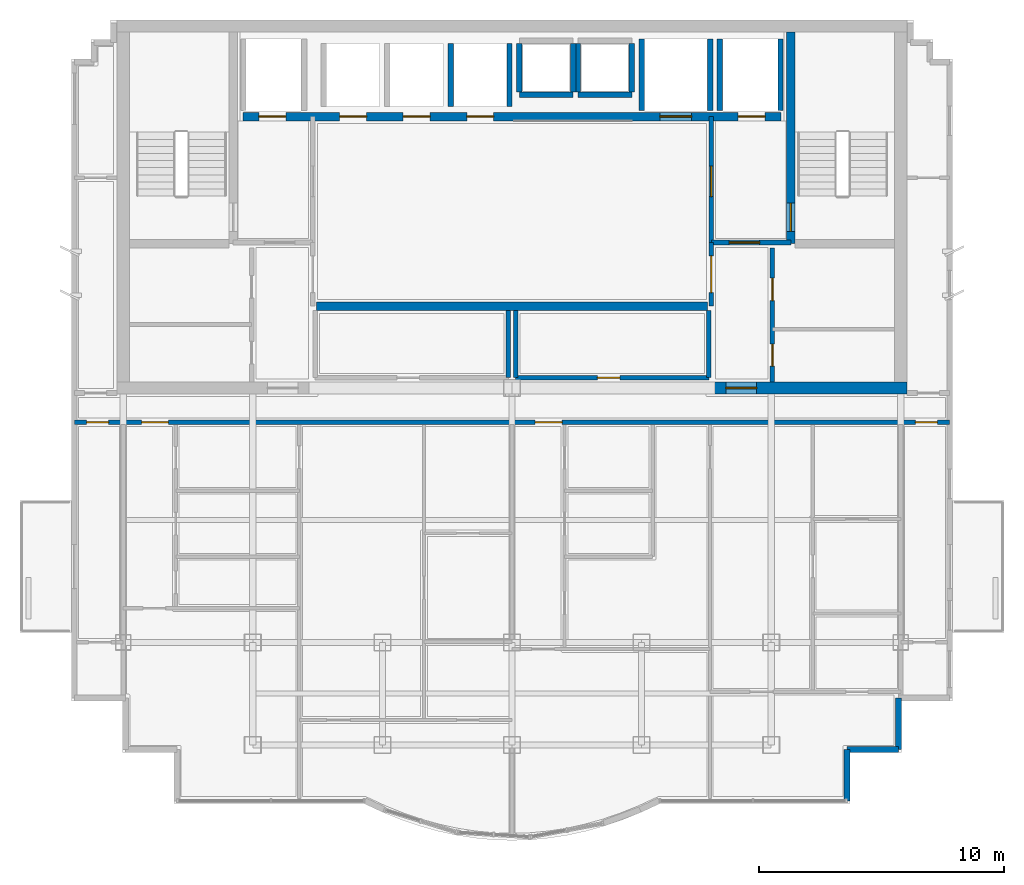
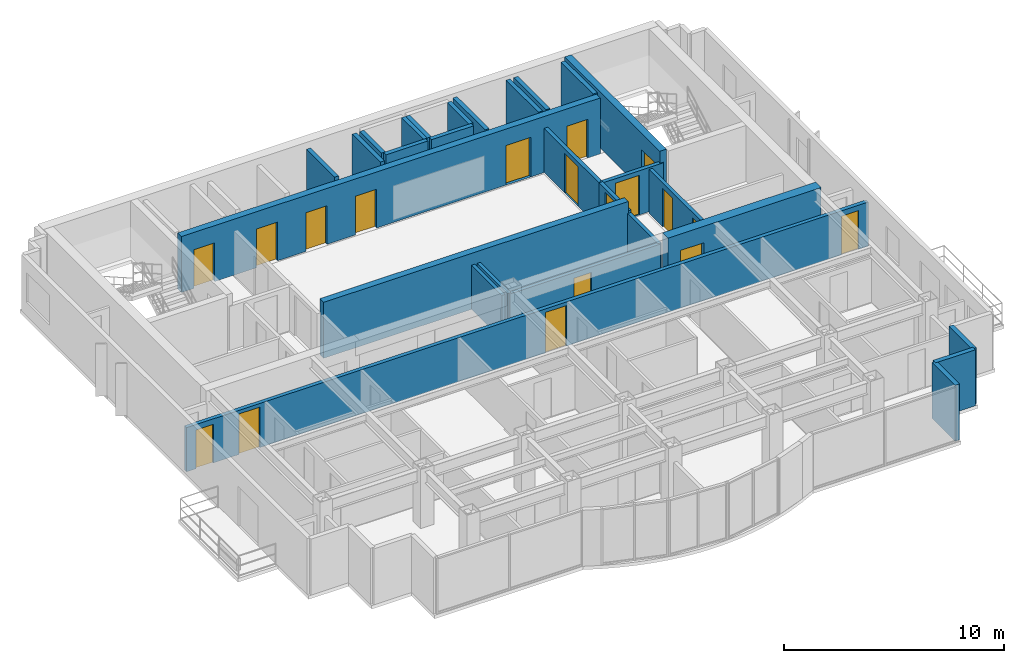
# One storey, part 5 of 9: 28 walls, 18 doors, 18 openings.
"""IFC4 building model written with IfcOpenShell, lengths in metres."""

from ifc_helpers import new_model, si_unit, direction, frame, frame_2d, origin, place, context, subcontext, project, spatial, rectangle, extrude, material, layer, layer_set, type_object, element, fill, save


model = new_model("IFC4")

# Units and contexts
model_context = context("Model", 3, precision=1e-05, world=origin(), true_north=direction((0.0, 1.0)))
body_context = subcontext(model_context, "Body", "Model", "MODEL_VIEW")
ifc_project = project(units=[si_unit("LENGTHUNIT", "METRE"), si_unit("AREAUNIT", "SQUARE_METRE"), si_unit("VOLUMEUNIT", "CUBIC_METRE"), si_unit("PLANEANGLEUNIT", "RADIAN"), si_unit("MASSUNIT", "GRAM", prefix="KILO")], contexts=[model_context])

# Site, building, storey
site_placement = place(None, origin())
site = spatial("IfcSite", under=ifc_project, at=site_placement, CompositionType="ELEMENT")
building_placement = place(site_placement, origin())
building = spatial("IfcBuilding", under=site, at=building_placement, Name="Qianlan Lanfeng Residences", CompositionType="ELEMENT")
storey_placement = place(building_placement, frame((0.0, 0.0, 249.5)))
storey = spatial("IfcBuildingStorey", under=building, at=storey_placement, Name="L69", CompositionType="ELEMENT", Elevation=249.5)

# Wall, opening, door
ifc_material_1 = material(Name="Concrete C49", Category="concrete")
ifc_layer_1 = layer(ifc_material_1, 0.35009765625)
ifc_layer_set_1 = layer_set([ifc_layer_1], Name="Concrete C49")
wall_type_1 = type_object("IfcWallType", Name="CW-RC-350", PredefinedType="SHEAR", material=ifc_layer_set_1)
wall_1_placement = place(storey_placement, frame((37.89990234375, 31.10009765625, 0.0), z_axis=(0.0, 0.0, 1.0), x_axis=(0.0, 1.0, 0.0)))
wall_1 = element("IfcWall", 1, at=wall_1_placement, inside=storey, type_object=wall_type_1, Name="L69 Core Shear Wall ST2W", PredefinedType="SHEAR", context=body_context, shape_type="SweptSolid", body=[
    extrude(rectangle(XDim=8.64990234375, YDim=0.35009765625, at=frame_2d((4.324951171875, 0.0))), origin(), (0.0, 0.0, 1.0), 3.110107421875),
])
opening_1_placement = place(wall_1_placement, frame((0.510009765625, 0.0, 0.0)))
opening_1 = element("IfcOpeningElement", 2, at=opening_1_placement, cuts=wall_1, Name="Opening L69-D08", PredefinedType="OPENING", context=body_context, shape_type="SweptSolid", body=[
    extrude(rectangle(XDim=1.14990234375, YDim=2.199951171875, at=frame_2d((0.574951171875, 1.10009765625))), frame((0.0, 0.18505859375, 0.0), z_axis=(0.0, -1.0, 0.0), x_axis=(1.0, 0.0, 0.0)), (0.0, 0.0, 1.0), 0.3701171875),
])
ifc_material_2 = material(Name="Painted Galvanised Steel Fire Door", Category="steel")
door_type_1 = type_object("IfcDoorType", Name="DT-ST1", OperationType="NOTDEFINED", PredefinedType="DOOR", material=ifc_material_2)
door_1_placement = place(opening_1_placement, origin())
door_1 = element("IfcDoor", 3, at=door_1_placement, inside=storey, type_object=door_type_1, Name="L69 Exit Stair ST-2 Door L69-D08 (DT-ST1)", OperationType="SINGLE_SWING_RIGHT", OverallHeight=2.199951171875, OverallWidth=1.14990234375, PredefinedType="DOOR", context=body_context, shape_type="SweptSolid", body=[
    extrude(rectangle(XDim=1.14990234375, YDim=2.199951171875, at=frame_2d((0.574951171875, 1.10009765625))), frame((0.0, 0.02490234375, 0.0), z_axis=(0.0, -1.0, 0.0), x_axis=(1.0, 0.0, 0.0)), (0.0, 0.0, 1.0), 0.050048828125),
])
fill(opening_1, door_1)

# Wall, openings, doors
wall_2_placement = place(storey_placement, frame((15.5, 36.300048828125, 0.0), z_axis=(0.0, 0.0, 1.0), x_axis=(1.0, 0.0, 0.0)))
wall_2 = element("IfcWall", 4, at=wall_2_placement, inside=storey, type_object=wall_type_1, Name="L69 Core Shear Wall LBN", PredefinedType="SHEAR", context=body_context, shape_type="SweptSolid", body=[
    extrude(rectangle(XDim=22.0, YDim=0.35009765625, at=frame_2d((11.0, 0.0))), origin(), (0.0, 0.0, 1.0), 3.110107421875),
])
opening_2_placement = place(wall_2_placement, frame((0.64990234375, 0.0, 0.0)))
opening_2 = element("IfcOpeningElement", 5, at=opening_2_placement, cuts=wall_2, Name="Opening L69-LD-FFL-1", PredefinedType="OPENING", context=body_context, shape_type="SweptSolid", body=[
    extrude(rectangle(XDim=1.10009765625, YDim=2.14990234375, at=frame_2d((0.550048828125, 1.074951171875))), frame((0.0, 0.18505859375, 0.0), z_axis=(0.0, -1.0, 0.0), x_axis=(1.0, 0.0, 0.0)), (0.0, 0.0, 1.0), 0.3701171875),
])
opening_3_placement = place(wall_2_placement, frame((20.25, 0.0, 0.0)))
opening_3 = element("IfcOpeningElement", 6, at=opening_3_placement, cuts=wall_2, Name="Opening L69-LD-FFL-2", PredefinedType="OPENING", context=body_context, shape_type="SweptSolid", body=[
    extrude(rectangle(XDim=1.10009765625, YDim=2.14990234375, at=frame_2d((0.550048828125, 1.074951171875))), frame((0.0, 0.18505859375, 0.0), z_axis=(0.0, -1.0, 0.0), x_axis=(1.0, 0.0, 0.0)), (0.0, 0.0, 1.0), 0.3701171875),
])
opening_4_placement = place(wall_2_placement, frame((17.050048828125, 0.0, 0.0)))
opening_4 = element("IfcOpeningElement", 7, at=opening_4_placement, cuts=wall_2, Name="Opening L69-LD-SVL-1", PredefinedType="OPENING", context=body_context, shape_type="SweptSolid", body=[
    extrude(rectangle(XDim=1.300048828125, YDim=2.199951171875, at=frame_2d((0.64990234375, 1.10009765625))), frame((0.0, 0.18505859375, 0.0), z_axis=(0.0, -1.0, 0.0), x_axis=(1.0, 0.0, 0.0)), (0.0, 0.0, 1.0), 0.3701171875),
])
opening_5_placement = place(wall_2_placement, frame((3.949951171875, 0.0, 0.0)))
opening_5 = element("IfcOpeningElement", 8, at=opening_5_placement, cuts=wall_2, Name="Opening L69-LD-PL-H1", PredefinedType="OPENING", context=body_context, shape_type="SweptSolid", body=[
    extrude(rectangle(XDim=1.10009765625, YDim=2.14990234375, at=frame_2d((0.550048828125, 1.074951171875))), frame((0.0, 0.18505859375, 0.0), z_axis=(0.0, -1.0, 0.0), x_axis=(1.0, 0.0, 0.0)), (0.0, 0.0, 1.0), 0.3701171875),
])
opening_6_placement = place(wall_2_placement, frame((6.550048828125, 0.0, 0.0)))
opening_6 = element("IfcOpeningElement", 9, at=opening_6_placement, cuts=wall_2, Name="Opening L69-LD-PL-H2", PredefinedType="OPENING", context=body_context, shape_type="SweptSolid", body=[
    extrude(rectangle(XDim=1.10009765625, YDim=2.14990234375, at=frame_2d((0.550048828125, 1.074951171875))), frame((0.0, 0.18505859375, 0.0), z_axis=(0.0, -1.0, 0.0), x_axis=(1.0, 0.0, 0.0)), (0.0, 0.0, 1.0), 0.3701171875),
])
opening_7_placement = place(wall_2_placement, frame((9.14990234375, 0.0, 0.0)))
opening_7 = element("IfcOpeningElement", 10, at=opening_7_placement, cuts=wall_2, Name="Opening L69-LD-PL-H3", PredefinedType="OPENING", context=body_context, shape_type="SweptSolid", body=[
    extrude(rectangle(XDim=1.10009765625, YDim=2.14990234375, at=frame_2d((0.550048828125, 1.074951171875))), frame((0.0, 0.18505859375, 0.0), z_axis=(0.0, -1.0, 0.0), x_axis=(1.0, 0.0, 0.0)), (0.0, 0.0, 1.0), 0.3701171875),
])
ifc_material_3 = material(Name="Brushed Stainless Steel Sliding Lift Door", Category="steel")
door_type_2 = type_object("IfcDoorType", Name="LD-01", OperationType="NOTDEFINED", PredefinedType="DOOR", material=ifc_material_3)
door_2_placement = place(opening_2_placement, frame((1.10009765625, 0.0, 0.0), z_axis=(0.0, 0.0, 1.0), x_axis=(-1.0, 0.0, 0.0)))
door_2 = element("IfcDoor", 11, at=door_2_placement, inside=storey, type_object=door_type_2, Name="L69 Elevator FFL-1 Sliding Landing Door", OperationType="DOUBLE_DOOR_SLIDING", OverallHeight=2.14990234375, OverallWidth=1.10009765625, PredefinedType="DOOR", context=body_context, shape_type="SweptSolid", body=[
    extrude(rectangle(XDim=1.10009765625, YDim=2.14990234375, at=frame_2d((0.550048828125, 1.074951171875))), frame((0.0, 0.02490234375, 0.0), z_axis=(0.0, -1.0, 0.0), x_axis=(1.0, 0.0, 0.0)), (0.0, 0.0, 1.0), 0.050048828125),
])
fill(opening_2, door_2)
door_3_placement = place(opening_3_placement, frame((1.10009765625, 0.0, 0.0), z_axis=(0.0, 0.0, 1.0), x_axis=(-1.0, 0.0, 0.0)))
door_3 = element("IfcDoor", 12, at=door_3_placement, inside=storey, type_object=door_type_2, Name="L69 Elevator FFL-2 Sliding Landing Door", OperationType="DOUBLE_DOOR_SLIDING", OverallHeight=2.14990234375, OverallWidth=1.10009765625, PredefinedType="DOOR", context=body_context, shape_type="SweptSolid", body=[
    extrude(rectangle(XDim=1.10009765625, YDim=2.14990234375, at=frame_2d((0.550048828125, 1.074951171875))), frame((0.0, 0.02490234375, 0.0), z_axis=(0.0, -1.0, 0.0), x_axis=(1.0, 0.0, 0.0)), (0.0, 0.0, 1.0), 0.050048828125),
])
fill(opening_3, door_3)
door_4_placement = place(opening_5_placement, frame((1.10009765625, 0.0, 0.0), z_axis=(0.0, 0.0, 1.0), x_axis=(-1.0, 0.0, 0.0)))
door_4 = element("IfcDoor", 13, at=door_4_placement, inside=storey, type_object=door_type_2, Name="L69 Elevator PL-H1 Sliding Landing Door", OperationType="DOUBLE_DOOR_SLIDING", OverallHeight=2.14990234375, OverallWidth=1.10009765625, PredefinedType="DOOR", context=body_context, shape_type="SweptSolid", body=[
    extrude(rectangle(XDim=1.10009765625, YDim=2.14990234375, at=frame_2d((0.550048828125, 1.074951171875))), frame((0.0, 0.02490234375, 0.0), z_axis=(0.0, -1.0, 0.0), x_axis=(1.0, 0.0, 0.0)), (0.0, 0.0, 1.0), 0.050048828125),
])
fill(opening_5, door_4)
door_5_placement = place(opening_6_placement, frame((1.10009765625, 0.0, 0.0), z_axis=(0.0, 0.0, 1.0), x_axis=(-1.0, 0.0, 0.0)))
door_5 = element("IfcDoor", 14, at=door_5_placement, inside=storey, type_object=door_type_2, Name="L69 Elevator PL-H2 Sliding Landing Door", OperationType="DOUBLE_DOOR_SLIDING", OverallHeight=2.14990234375, OverallWidth=1.10009765625, PredefinedType="DOOR", context=body_context, shape_type="SweptSolid", body=[
    extrude(rectangle(XDim=1.10009765625, YDim=2.14990234375, at=frame_2d((0.550048828125, 1.074951171875))), frame((0.0, 0.02490234375, 0.0), z_axis=(0.0, -1.0, 0.0), x_axis=(1.0, 0.0, 0.0)), (0.0, 0.0, 1.0), 0.050048828125),
])
fill(opening_6, door_5)
door_6_placement = place(opening_7_placement, frame((1.10009765625, 0.0, 0.0), z_axis=(0.0, 0.0, 1.0), x_axis=(-1.0, 0.0, 0.0)))
door_6 = element("IfcDoor", 15, at=door_6_placement, inside=storey, type_object=door_type_2, Name="L69 Elevator PL-H3 Sliding Landing Door", OperationType="DOUBLE_DOOR_SLIDING", OverallHeight=2.14990234375, OverallWidth=1.10009765625, PredefinedType="DOOR", context=body_context, shape_type="SweptSolid", body=[
    extrude(rectangle(XDim=1.10009765625, YDim=2.14990234375, at=frame_2d((0.550048828125, 1.074951171875))), frame((0.0, 0.02490234375, 0.0), z_axis=(0.0, -1.0, 0.0), x_axis=(1.0, 0.0, 0.0)), (0.0, 0.0, 1.0), 0.050048828125),
])
fill(opening_7, door_6)
door_type_3 = type_object("IfcDoorType", Name="LD-02", OperationType="NOTDEFINED", PredefinedType="DOOR", material=ifc_material_3)
door_7_placement = place(opening_4_placement, frame((1.300048828125, 0.0, 0.0), z_axis=(0.0, 0.0, 1.0), x_axis=(-1.0, 0.0, 0.0)))
door_7 = element("IfcDoor", 16, at=door_7_placement, inside=storey, type_object=door_type_3, Name="L69 Elevator SVL-1 Sliding Landing Door", OperationType="DOUBLE_DOOR_SLIDING", OverallHeight=2.199951171875, OverallWidth=1.300048828125, PredefinedType="DOOR", context=body_context, shape_type="SweptSolid", body=[
    extrude(rectangle(XDim=1.300048828125, YDim=2.199951171875, at=frame_2d((0.64990234375, 1.10009765625))), frame((0.0, 0.02490234375, 0.0), z_axis=(0.0, -1.0, 0.0), x_axis=(1.0, 0.0, 0.0)), (0.0, 0.0, 1.0), 0.050048828125),
])
fill(opening_4, door_7)

# Wall
wall_3_placement = place(storey_placement, frame((18.5, 28.550048828125, 0.0), z_axis=(0.0, 0.0, 1.0), x_axis=(1.0, 0.0, 0.0)))
element("IfcWall", 17, at=wall_3_placement, inside=storey, type_object=wall_type_1, Name="L69 Core Shear Wall LBS", PredefinedType="SHEAR", context=body_context, shape_type="SweptSolid", body=[
    extrude(rectangle(XDim=16.0, YDim=0.35009765625, at=frame_2d((8.0, 0.0))), origin(), (0.0, 0.0, 1.0), 3.110107421875),
])

# Wall, opening, door
ifc_material_4 = material(Name="Concrete C70", Category="concrete")
ifc_layer_2 = layer(ifc_material_4, 0.5)
ifc_layer_set_2 = layer_set([ifc_layer_2], Name="Concrete C70")
wall_type_2 = type_object("IfcWallType", Name="CW-RC-500", PredefinedType="SHEAR", material=ifc_layer_set_2)
wall_4_placement = place(storey_placement, frame((34.60009765625, 25.199951171875, 0.0), z_axis=(0.0, 0.0, 1.0), x_axis=(1.0, 0.0, 0.0)))
wall_4 = element("IfcWall", 18, at=wall_4_placement, inside=storey, type_object=wall_type_2, Name="L69 Core Shear Wall SE", PredefinedType="SHEAR", context=body_context, shape_type="SweptSolid", body=[
    extrude(rectangle(XDim=8.0498046875, YDim=0.5, at=frame_2d((4.02490234375, 0.0))), origin(), (0.0, 0.0, 1.0), 3.110107421875),
])
opening_8_placement = place(wall_4_placement, frame((0.64990234375, 0.0, 0.0)))
opening_8 = element("IfcOpeningElement", 19, at=opening_8_placement, cuts=wall_4, Name="Opening L69-D02", PredefinedType="OPENING", context=body_context, shape_type="SweptSolid", body=[
    extrude(rectangle(XDim=1.25, YDim=2.199951171875, at=frame_2d((0.625, 1.10009765625))), frame((0.0, 0.260009765625, 0.0), z_axis=(0.0, -1.0, 0.0), x_axis=(1.0, 0.0, 0.0)), (0.0, 0.0, 1.0), 0.52001953125),
])
door_type_4 = type_object("IfcDoorType", Name="DT-FFL", OperationType="NOTDEFINED", PredefinedType="DOOR", material=ifc_material_2)
door_8_placement = place(opening_8_placement, frame((1.25, 0.0, 0.0), z_axis=(0.0, 0.0, 1.0), x_axis=(-1.0, 0.0, 0.0)))
door_8 = element("IfcDoor", 20, at=door_8_placement, inside=storey, type_object=door_type_4, Name="L69 East Core Lobby Smoke Door L69-D02 (DT-FFL)", OperationType="SINGLE_SWING_LEFT", OverallHeight=2.199951171875, OverallWidth=1.25, PredefinedType="DOOR", context=body_context, shape_type="SweptSolid", body=[
    extrude(rectangle(XDim=1.25, YDim=2.199951171875, at=frame_2d((0.625, 1.10009765625))), frame((0.0, 0.02490234375, 0.0), z_axis=(0.0, -1.0, 0.0), x_axis=(1.0, 0.0, 0.0)), (0.0, 0.0, 1.0), 0.050048828125),
])
fill(opening_8, door_8)

# Walls
ifc_material_5 = material(Name="Concrete C42", Category="concrete")
ifc_layer_3 = layer(ifc_material_5, 0.239990234375)
ifc_layer_set_3 = layer_set([ifc_layer_3], Name="Concrete C42")
wall_type_3 = type_object("IfcWallType", Name="EW-240", PredefinedType="SOLIDWALL", material=ifc_layer_set_3)
wall_5_placement = place(storey_placement, frame((40.199951171875, 8.320068359375, 0.0), z_axis=(0.0, 0.0, 1.0), x_axis=(0.0, 1.0, 0.0)))
element("IfcWall", 21, at=wall_5_placement, inside=storey, type_object=wall_type_3, Name="L69 Exterior Facade Spandrel Wall 8", PredefinedType="SOLIDWALL", context=body_context, shape_type="SweptSolid", body=[
    extrude(rectangle(XDim=2.099853515625, YDim=0.239990234375, at=frame_2d((1.0498046875, 0.0))), origin(), (0.0, 0.0, 1.0), 3.110107421875),
])
for number, where, z_axis, x_axis, name in (
    (22, (40.199951171875, 10.419921875, 0.0), (0.0, 0.0, 1.0), (1.0, 0.0, 0.0), "L69 Exterior Facade Spandrel Wall 9"),
    (23, (42.300048828125, 10.419921875, 0.0), (0.0, 0.0, 1.0), (0.0, 1.0, 0.0), "L69 Exterior Facade Spandrel Wall 10"),
):
    element("IfcWall", number, at=place(storey_placement, frame(where, z_axis=z_axis, x_axis=x_axis)), inside=storey, type_object=wall_type_3, Name=name, PredefinedType="SOLIDWALL", context=body_context, shape_type="SweptSolid", body=[
        extrude(rectangle(XDim=2.10009765625, YDim=0.239990234375, at=frame_2d((1.050048828125, 0.0))), origin(), (0.0, 0.0, 1.0), 3.110107421875),
    ])

# Wall, openings, doors
ifc_material_6 = material(Name="Double-Layer Acoustic Gypsum Stud Wall 180 mm")
ifc_layer_4 = layer(ifc_material_6, 0.179931640625)
ifc_layer_set_4 = layer_set([ifc_layer_4], Name="Double-Layer Acoustic Gypsum Stud Wall 180 mm")
wall_type_4 = type_object("IfcWallType", Name="PW-180", PredefinedType="PARTITIONING", material=ifc_layer_set_4)
wall_6_placement = place(storey_placement, frame((37.14990234375, 25.449951171875, 0.0), z_axis=(0.0, 0.0, 1.0), x_axis=(0.0, 1.0, 0.0)))
wall_6 = element("IfcWall", 24, at=wall_6_placement, inside=storey, type_object=wall_type_4, Name="L69 Core East Service Room Wall", PredefinedType="PARTITIONING", context=body_context, shape_type="SweptSolid", body=[
    extrude(rectangle(XDim=5.47509765625, YDim=0.179931640625, at=frame_2d((2.737548828125, 0.0))), origin(), (0.0, 0.0, 1.0), 2.449951171875),
])
opening_9_placement = place(wall_6_placement, frame((0.64990234375, 0.0, 0.0)))
opening_9 = element("IfcOpeningElement", 25, at=opening_9_placement, cuts=wall_6, Name="Opening L69-D11", PredefinedType="OPENING", context=body_context, shape_type="SweptSolid", body=[
    extrude(rectangle(XDim=0.89990234375, YDim=2.14990234375, at=frame_2d((0.449951171875, 1.074951171875))), frame((0.0, 0.10009765625, 0.0), z_axis=(0.0, -1.0, 0.0), x_axis=(1.0, 0.0, 0.0)), (0.0, 0.0, 1.0), 0.199951171875),
])
opening_10_placement = place(wall_6_placement, frame((3.326904296875, 0.0, 0.0)))
opening_10 = element("IfcOpeningElement", 26, at=opening_10_placement, cuts=wall_6, Name="Opening L69-D12", PredefinedType="OPENING", context=body_context, shape_type="SweptSolid", body=[
    extrude(rectangle(XDim=0.919921875, YDim=2.14990234375, at=frame_2d((0.4599609375, 1.074951171875))), frame((0.0, 0.10009765625, 0.0), z_axis=(0.0, -1.0, 0.0), x_axis=(1.0, 0.0, 0.0)), (0.0, 0.0, 1.0), 0.199951171875),
])
ifc_material_7 = material(Name="Glazed Timber Kitchen/Study Door", Category="wood")
door_type_5 = type_object("IfcDoorType", Name="DT-INT", OperationType="NOTDEFINED", PredefinedType="DOOR", material=ifc_material_7)
door_9_placement = place(opening_10_placement, origin())
door_9 = element("IfcDoor", 27, at=door_9_placement, inside=storey, type_object=door_type_5, Name="L69 Refuse Room Door L69-D12 (DT-INT)", OperationType="SINGLE_SWING_RIGHT", OverallHeight=2.14990234375, OverallWidth=0.919921875, PredefinedType="DOOR", context=body_context, shape_type="SweptSolid", body=[
    extrude(rectangle(XDim=0.919921875, YDim=2.14990234375, at=frame_2d((0.4599609375, 1.074951171875))), frame((0.0, 0.02490234375, 0.0), z_axis=(0.0, -1.0, 0.0), x_axis=(1.0, 0.0, 0.0)), (0.0, 0.0, 1.0), 0.050048828125),
])
fill(opening_10, door_9)
ifc_material_8 = material(Name="Moisture-Resistant Timber Leaf", Category="wood")
door_type_6 = type_object("IfcDoorType", Name="DT-WC", OperationType="NOTDEFINED", PredefinedType="DOOR", material=ifc_material_8)
door_10_placement = place(opening_9_placement, origin())
door_10 = element("IfcDoor", 28, at=door_10_placement, inside=storey, type_object=door_type_6, Name="L69 Core WC Door L69-D11 (DT-WC)", OperationType="SINGLE_SWING_LEFT", OverallHeight=2.14990234375, OverallWidth=0.89990234375, PredefinedType="DOOR", context=body_context, shape_type="SweptSolid", body=[
    extrude(rectangle(XDim=0.89990234375, YDim=2.14990234375, at=frame_2d((0.449951171875, 1.074951171875))), frame((0.0, 0.02490234375, 0.0), z_axis=(0.0, -1.0, 0.0), x_axis=(1.0, 0.0, 0.0)), (0.0, 0.0, 1.0), 0.050048828125),
])
fill(opening_9, door_10)

# Walls
for number, where, z_axis, x_axis, name in (
    (29, (26.35009765625, 25.6201171875, 0.0), (0.0, 0.0, 1.0), (0.0, 1.0, 0.0), "L69 Reclaimed Low-Bank Room East Wall"),
    (30, (26.64990234375, 25.6201171875, 0.0), (0.0, 0.0, 1.0), (0.0, 1.0, 0.0), "L69 Reclaimed Mid-Bank Room West Wall"),
    (31, (34.550048828125, 25.6201171875, 0.0), (0.0, 0.0, 1.0), (0.0, 1.0, 0.0), "L69 Reclaimed Mid-Bank Room East Wall"),
):
    element("IfcWall", number, at=place(storey_placement, frame(where, z_axis=z_axis, x_axis=x_axis)), inside=storey, type_object=wall_type_4, Name=name, PredefinedType="PARTITIONING", context=body_context, shape_type="SweptSolid", body=[
        extrude(rectangle(XDim=2.7548828125, YDim=0.179931640625, at=frame_2d((1.37744140625, 0.0))), origin(), (0.0, 0.0, 1.0), 2.449951171875),
    ])

# Wall, opening, door
wall_7_placement = place(storey_placement, frame((26.64990234375, 25.6201171875, 0.0), z_axis=(0.0, 0.0, 1.0), x_axis=(1.0, 0.0, 0.0)))
wall_7 = element("IfcWall", 32, at=wall_7_placement, inside=storey, type_object=wall_type_4, Name="L69 Reclaimed Mid-Bank Room South Wall", PredefinedType="PARTITIONING", context=body_context, shape_type="SweptSolid", body=[
    extrude(rectangle(XDim=7.900146484375, YDim=0.179931640625, at=frame_2d((3.9501953125, 0.0))), origin(), (0.0, 0.0, 1.0), 2.449951171875),
])
opening_11_placement = place(wall_7_placement, frame((3.340087890625, 0.0, 0.0)))
opening_11 = element("IfcOpeningElement", 33, at=opening_11_placement, cuts=wall_7, Name="Opening L69-D16", PredefinedType="OPENING", context=body_context, shape_type="SweptSolid", body=[
    extrude(rectangle(XDim=0.919921875, YDim=2.14990234375, at=frame_2d((0.4599609375, 1.074951171875))), frame((0.0, 0.10009765625, 0.0), z_axis=(0.0, -1.0, 0.0), x_axis=(1.0, 0.0, 0.0)), (0.0, 0.0, 1.0), 0.199951171875),
])
door_11_placement = place(opening_11_placement, origin())
door_11 = element("IfcDoor", 34, at=door_11_placement, inside=storey, type_object=door_type_5, Name="L69 Reclaimed Mid-Bank Salon Door L69-D16 (DT-INT)", OperationType="SINGLE_SWING_RIGHT", OverallHeight=2.14990234375, OverallWidth=0.919921875, PredefinedType="DOOR", context=body_context, shape_type="SweptSolid", body=[
    extrude(rectangle(XDim=0.919921875, YDim=2.14990234375, at=frame_2d((0.4599609375, 1.074951171875))), frame((0.0, 0.02490234375, 0.0), z_axis=(0.0, -1.0, 0.0), x_axis=(1.0, 0.0, 0.0)), (0.0, 0.0, 1.0), 0.050048828125),
])
fill(opening_11, door_11)

ifc_material_9 = material(Name="Autoclaved Aerated Concrete Blockwork 200 mm", Category="masonry")
ifc_layer_5 = layer(ifc_material_9, 0.199951171875)
ifc_layer_set_5 = layer_set([ifc_layer_5], Name="Autoclaved Aerated Concrete Blockwork 200 mm")
wall_type_5 = type_object("IfcWallType", Name="PW-200", PredefinedType="PARTITIONING", material=ifc_layer_set_5)
wall_8_placement = place(storey_placement, frame((34.64990234375, 31.14990234375, 0.0), z_axis=(0.0, 0.0, 1.0), x_axis=(1.0, 0.0, 0.0)))
wall_8 = element("IfcWall", 35, at=wall_8_placement, inside=storey, type_object=wall_type_5, Name="L69 Firefighting Lobby 2 South Wall", PredefinedType="PARTITIONING", context=body_context, shape_type="SweptSolid", body=[
    extrude(rectangle(XDim=3.25, YDim=0.199951171875, at=frame_2d((1.625, 0.0))), origin(), (0.0, 0.0, 1.0), 2.449951171875),
])
opening_12_placement = place(wall_8_placement, frame((0.72509765625, 0.0, 0.0)))
opening_12 = element("IfcOpeningElement", 36, at=opening_12_placement, cuts=wall_8, Name="Opening L69-D05", PredefinedType="OPENING", context=body_context, shape_type="SweptSolid", body=[
    extrude(rectangle(XDim=1.25, YDim=2.199951171875, at=frame_2d((0.625, 1.10009765625))), frame((0.0, 0.10986328125, 0.0), z_axis=(0.0, -1.0, 0.0), x_axis=(1.0, 0.0, 0.0)), (0.0, 0.0, 1.0), 0.219970703125),
])
door_12_placement = place(opening_12_placement, origin())
door_12 = element("IfcDoor", 37, at=door_12_placement, inside=storey, type_object=door_type_4, Name="L69 Firefighting Lobby 2 Entry Door L69-D05 (DT-FFL)", OperationType="SINGLE_SWING_RIGHT", OverallHeight=2.199951171875, OverallWidth=1.25, PredefinedType="DOOR", context=body_context, shape_type="SweptSolid", body=[
    extrude(rectangle(XDim=1.25, YDim=2.199951171875, at=frame_2d((0.625, 1.10009765625))), frame((0.0, 0.02490234375, 0.0), z_axis=(0.0, -1.0, 0.0), x_axis=(1.0, 0.0, 0.0)), (0.0, 0.0, 1.0), 0.050048828125),
])
fill(opening_12, door_12)

wall_9_placement = place(storey_placement, frame((34.64990234375, 31.14990234375, 0.0), z_axis=(0.0, 0.0, 1.0), x_axis=(0.0, 1.0, 0.0)))
wall_9 = element("IfcWall", 38, at=wall_9_placement, inside=storey, type_object=wall_type_5, Name="L69 Firefighting Lobby 2 West Wall", PredefinedType="PARTITIONING", context=body_context, shape_type="SweptSolid", body=[
    extrude(rectangle(XDim=5.150146484375, YDim=0.199951171875, at=frame_2d((2.5751953125, 0.0))), origin(), (0.0, 0.0, 1.0), 2.449951171875),
])
opening_13_placement = place(wall_9_placement, frame((1.875, 0.0, 0.0)))
opening_13 = element("IfcOpeningElement", 39, at=opening_13_placement, cuts=wall_9, Name="Opening L69-D06", PredefinedType="OPENING", context=body_context, shape_type="SweptSolid", body=[
    extrude(rectangle(XDim=1.25, YDim=2.199951171875, at=frame_2d((0.625, 1.10009765625))), frame((0.0, 0.10986328125, 0.0), z_axis=(0.0, -1.0, 0.0), x_axis=(1.0, 0.0, 0.0)), (0.0, 0.0, 1.0), 0.219970703125),
])
door_13_placement = place(opening_13_placement, origin())
door_13 = element("IfcDoor", 40, at=door_13_placement, inside=storey, type_object=door_type_4, Name="L69 Firefighting Lobby 2 Lift Lobby Door L69-D06 (DT-FFL)", OperationType="SINGLE_SWING_RIGHT", OverallHeight=2.199951171875, OverallWidth=1.25, PredefinedType="DOOR", context=body_context, shape_type="SweptSolid", body=[
    extrude(rectangle(XDim=1.25, YDim=2.199951171875, at=frame_2d((0.625, 1.10009765625))), frame((0.0, 0.02490234375, 0.0), z_axis=(0.0, -1.0, 0.0), x_axis=(1.0, 0.0, 0.0)), (0.0, 0.0, 1.0), 0.050048828125),
])
fill(opening_13, door_13)

wall_10_placement = place(storey_placement, frame((34.64990234375, 28.550048828125, 0.0), z_axis=(0.0, 0.0, 1.0), x_axis=(0.0, 1.0, 0.0)))
wall_10 = element("IfcWall", 41, at=wall_10_placement, inside=storey, type_object=wall_type_5, Name="L69 Lift Lobby East Connector Wall", PredefinedType="PARTITIONING", context=body_context, shape_type="SweptSolid", body=[
    extrude(rectangle(XDim=2.599853515625, YDim=0.199951171875, at=frame_2d((1.2998046875, 0.0))), origin(), (0.0, 0.0, 1.0), 2.449951171875),
])
opening_14_placement = place(wall_10_placement, frame((0.550048828125, 0.0, 0.0)))
opening_14 = element("IfcOpeningElement", 42, at=opening_14_placement, cuts=wall_10, Name="Opening L69-D14", PredefinedType="OPENING", context=body_context, shape_type="SweptSolid", body=[
    extrude(rectangle(XDim=1.5, YDim=2.25, at=frame_2d((0.75, 1.125))), frame((0.0, 0.10986328125, 0.0), z_axis=(0.0, -1.0, 0.0), x_axis=(1.0, 0.0, 0.0)), (0.0, 0.0, 1.0), 0.219970703125),
])
ifc_material_10 = material(Name="Timber Veneer Acoustic Fire Door", Category="wood")
door_type_7 = type_object("IfcDoorType", Name="DT-COR1", OperationType="NOTDEFINED", PredefinedType="DOOR", material=ifc_material_10)
door_14_placement = place(opening_14_placement, frame((1.5, 0.0, 0.0), z_axis=(0.0, 0.0, 1.0), x_axis=(-1.0, 0.0, 0.0)))
door_14 = element("IfcDoor", 43, at=door_14_placement, inside=storey, type_object=door_type_7, Name="L69 Lift Lobby East Portal Door L69-D14 (DT-COR1)", OperationType="DOUBLE_DOOR_SINGLE_SWING", OverallHeight=2.25, OverallWidth=1.5, PredefinedType="DOOR", context=body_context, shape_type="SweptSolid", body=[
    extrude(rectangle(XDim=1.5, YDim=2.25, at=frame_2d((0.75, 1.125))), frame((0.0, 0.02490234375, 0.0), z_axis=(0.0, -1.0, 0.0), x_axis=(1.0, 0.0, 0.0)), (0.0, 0.0, 1.0), 0.050048828125),
])
fill(opening_14, door_14)

# Wall, openings, doors
wall_11_placement = place(storey_placement, frame((8.60009765625, 23.800048828125, 0.0), z_axis=(0.0, 0.0, 1.0), x_axis=(1.0, 0.0, 0.0)))
wall_11 = element("IfcWall", 44, at=wall_11_placement, inside=storey, type_object=wall_type_5, Name="L69 Residential Corridor South Fire Wall", PredefinedType="PARTITIONING", context=body_context, shape_type="SweptSolid", body=[
    extrude(rectangle(XDim=35.7998046875, YDim=0.199951171875, at=frame_2d((17.89990234375, 0.0))), origin(), (0.0, 0.0, 1.0), 2.449951171875),
])
opening_15_placement = place(wall_11_placement, frame((2.75, 0.0, 0.0)))
opening_15 = element("IfcOpeningElement", 45, at=opening_15_placement, cuts=wall_11, Name="Opening L69-D17", PredefinedType="OPENING", context=body_context, shape_type="SweptSolid", body=[
    extrude(rectangle(XDim=1.10009765625, YDim=2.25, at=frame_2d((0.550048828125, 1.125))), frame((0.0, 0.10986328125, 0.0), z_axis=(0.0, -1.0, 0.0), x_axis=(1.0, 0.0, 0.0)), (0.0, 0.0, 1.0), 0.219970703125),
])
opening_16_placement = place(wall_11_placement, frame((18.85009765625, 0.0, 0.0)))
opening_16 = element("IfcOpeningElement", 46, at=opening_16_placement, cuts=wall_11, Name="Opening L69-D27", PredefinedType="OPENING", context=body_context, shape_type="SweptSolid", body=[
    extrude(rectangle(XDim=1.10009765625, YDim=2.25, at=frame_2d((0.550048828125, 1.125))), frame((0.0, 0.10986328125, 0.0), z_axis=(0.0, -1.0, 0.0), x_axis=(1.0, 0.0, 0.0)), (0.0, 0.0, 1.0), 0.219970703125),
])
opening_17_placement = place(wall_11_placement, frame((0.5048828125, 0.0, 0.0)))
opening_17 = element("IfcOpeningElement", 47, at=opening_17_placement, cuts=wall_11, Name="Opening L69-D38", PredefinedType="OPENING", context=body_context, shape_type="SweptSolid", body=[
    extrude(rectangle(XDim=0.89990234375, YDim=2.14990234375, at=frame_2d((0.449951171875, 1.074951171875))), frame((0.0, 0.10986328125, 0.0), z_axis=(0.0, -1.0, 0.0), x_axis=(1.0, 0.0, 0.0)), (0.0, 0.0, 1.0), 0.219970703125),
])
opening_18_placement = place(wall_11_placement, frame((34.39501953125, 0.0, 0.0)))
opening_18 = element("IfcOpeningElement", 48, at=opening_18_placement, cuts=wall_11, Name="Opening L69-D40", PredefinedType="OPENING", context=body_context, shape_type="SweptSolid", body=[
    extrude(rectangle(XDim=0.89990234375, YDim=2.14990234375, at=frame_2d((0.449951171875, 1.074951171875))), frame((0.0, 0.10986328125, 0.0), z_axis=(0.0, -1.0, 0.0), x_axis=(1.0, 0.0, 0.0)), (0.0, 0.0, 1.0), 0.219970703125),
])
ifc_material_11 = material(Name="Solid-Core Oak Veneer Fire Door")
door_type_8 = type_object("IfcDoorType", Name="DT-UNIT", OperationType="NOTDEFINED", PredefinedType="DOOR", material=ifc_material_11)
door_15_placement = place(opening_15_placement, frame((1.10009765625, 0.0, 0.0), z_axis=(0.0, 0.0, 1.0), x_axis=(-1.0, 0.0, 0.0)))
door_15 = element("IfcDoor", 49, at=door_15_placement, inside=storey, type_object=door_type_8, Name="L69 Apartment U01 Entrance Door L69-D17 (DT-UNIT)", OperationType="SINGLE_SWING_RIGHT", OverallHeight=2.25, OverallWidth=1.10009765625, PredefinedType="DOOR", context=body_context, shape_type="SweptSolid", body=[
    extrude(rectangle(XDim=1.10009765625, YDim=2.25, at=frame_2d((0.550048828125, 1.125))), frame((0.0, 0.02490234375, 0.0), z_axis=(0.0, -1.0, 0.0), x_axis=(1.0, 0.0, 0.0)), (0.0, 0.0, 1.0), 0.050048828125),
])
fill(opening_15, door_15)
door_16_placement = place(opening_16_placement, origin())
door_16 = element("IfcDoor", 50, at=door_16_placement, inside=storey, type_object=door_type_8, Name="L69 Apartment U02 Entrance Door L69-D27 (DT-UNIT)", OperationType="SINGLE_SWING_LEFT", OverallHeight=2.25, OverallWidth=1.10009765625, PredefinedType="DOOR", context=body_context, shape_type="SweptSolid", body=[
    extrude(rectangle(XDim=1.10009765625, YDim=2.25, at=frame_2d((0.550048828125, 1.125))), frame((0.0, 0.02490234375, 0.0), z_axis=(0.0, -1.0, 0.0), x_axis=(1.0, 0.0, 0.0)), (0.0, 0.0, 1.0), 0.050048828125),
])
fill(opening_16, door_16)
door_17_placement = place(opening_17_placement, origin())
door_17 = element("IfcDoor", 51, at=door_17_placement, inside=storey, type_object=door_type_6, Name="L69 SWP Corridor Door L69-D38 (DT-WC)", OperationType="SINGLE_SWING_RIGHT", OverallHeight=2.14990234375, OverallWidth=0.89990234375, PredefinedType="DOOR", context=body_context, shape_type="SweptSolid", body=[
    extrude(rectangle(XDim=0.89990234375, YDim=2.14990234375, at=frame_2d((0.449951171875, 1.074951171875))), frame((0.0, 0.02490234375, 0.0), z_axis=(0.0, -1.0, 0.0), x_axis=(1.0, 0.0, 0.0)), (0.0, 0.0, 1.0), 0.050048828125),
])
fill(opening_17, door_17)
door_18_placement = place(opening_18_placement, origin())
door_18 = element("IfcDoor", 52, at=door_18_placement, inside=storey, type_object=door_type_6, Name="L69 SEP Corridor Door L69-D40 (DT-WC)", OperationType="SINGLE_SWING_LEFT", OverallHeight=2.14990234375, OverallWidth=0.89990234375, PredefinedType="DOOR", context=body_context, shape_type="SweptSolid", body=[
    extrude(rectangle(XDim=0.89990234375, YDim=2.14990234375, at=frame_2d((0.449951171875, 1.074951171875))), frame((0.0, 0.02490234375, 0.0), z_axis=(0.0, -1.0, 0.0), x_axis=(1.0, 0.0, 0.0)), (0.0, 0.0, 1.0), 0.050048828125),
])
fill(opening_18, door_18)

# Walls
ifc_layer_6 = layer(ifc_material_1, 0.219970703125)
ifc_layer_set_6 = layer_set([ifc_layer_6], Name="Concrete C49")
wall_type_6 = type_object("IfcWallType", Name="SHW-220", PredefinedType="SOLIDWALL", material=ifc_layer_set_6)
for number, where, z_axis, x_axis, name in (
    (53, (35.0, 36.550048828125, 0.0), (0.0, 0.0, 1.0), (0.0, 1.0, 0.0), "L69 Lift FFL-2 Shaft Wall W"),
    (54, (37.47998046875, 36.550048828125, 0.0), (0.0, 0.0, 1.0), (0.0, 1.0, 0.0), "L69 Lift FFL-2 Shaft Wall E"),
    (55, (31.800048828125, 36.550048828125, 0.0), (0.0, 0.0, 1.0), (0.0, 1.0, 0.0), "L69 Lift SVL-1 Shaft Wall W"),
    (56, (34.60009765625, 36.550048828125, 0.0), (0.0, 0.0, 1.0), (0.0, 1.0, 0.0), "L69 Lift SVL-1 Shaft Wall E"),
):
    element("IfcWall", number, at=place(storey_placement, frame(where, z_axis=z_axis, x_axis=x_axis)), inside=storey, type_object=wall_type_6, Name=name, PredefinedType="SOLIDWALL", context=body_context, shape_type="SweptSolid", body=[
        extrude(rectangle(XDim=2.929931640625, YDim=0.219970703125, at=frame_2d((1.46484375, 0.0))), origin(), (0.0, 0.0, 1.0), 3.110107421875),
    ])
for number, where, z_axis, x_axis, name in (
    (57, (24.0, 36.719970703125, 0.0), (0.0, 0.0, 1.0), (0.0, 1.0, 0.0), "L69 Lift PL-H3 Shaft Wall W"),
    (58, (26.39990234375, 36.719970703125, 0.0), (0.0, 0.0, 1.0), (0.0, 1.0, 0.0), "L69 Lift PL-H3 Shaft Wall E"),
):
    element("IfcWall", number, at=place(storey_placement, frame(where, z_axis=z_axis, x_axis=x_axis)), inside=storey, type_object=wall_type_6, Name=name, PredefinedType="SOLIDWALL", context=body_context, shape_type="SweptSolid", body=[
        extrude(rectangle(XDim=2.56005859375, YDim=0.219970703125, at=frame_2d((1.280029296875, 0.0))), origin(), (0.0, 0.0, 1.0), 3.110107421875),
    ])
for number, where, z_axis, x_axis, name in (
    (59, (26.800048828125, 37.31005859375, 0.0), (0.0, 0.0, 1.0), (0.0, 1.0, 0.0), "L69 MEP Riser MEP-R1 Shaft Wall W"),
    (60, (29.0, 37.31005859375, 0.0), (0.0, 0.0, 1.0), (0.0, 1.0, 0.0), "L69 MEP Riser MEP-R1 Shaft Wall E"),
):
    element("IfcWall", number, at=place(storey_placement, frame(where, z_axis=z_axis, x_axis=x_axis)), inside=storey, type_object=wall_type_6, Name=name, PredefinedType="SOLIDWALL", context=body_context, shape_type="SweptSolid", body=[
        extrude(rectangle(XDim=1.97998046875, YDim=0.219970703125, at=frame_2d((0.989990234375, 0.0))), origin(), (0.0, 0.0, 1.0), 3.110107421875),
    ])
wall_12_placement = place(storey_placement, frame((26.800048828125, 37.199951171875, 0.0), z_axis=(0.0, 0.0, 1.0), x_axis=(1.0, 0.0, 0.0)))
element("IfcWall", 61, at=wall_12_placement, inside=storey, type_object=wall_type_6, Name="L69 MEP Riser MEP-R1 Shaft Wall S", PredefinedType="SOLIDWALL", context=body_context, shape_type="SweptSolid", body=[
    extrude(rectangle(XDim=2.199951171875, YDim=0.219970703125, at=frame_2d((1.10009765625, 0.0))), origin(), (0.0, 0.0, 1.0), 3.110107421875),
])
for number, where, z_axis, x_axis, name in (
    (62, (29.199951171875, 37.31005859375, 0.0), (0.0, 0.0, 1.0), (0.0, 1.0, 0.0), "L69 MEP Riser MEP-R2 Shaft Wall W"),
    (63, (31.39990234375, 37.31005859375, 0.0), (0.0, 0.0, 1.0), (0.0, 1.0, 0.0), "L69 MEP Riser MEP-R2 Shaft Wall E"),
):
    element("IfcWall", number, at=place(storey_placement, frame(where, z_axis=z_axis, x_axis=x_axis)), inside=storey, type_object=wall_type_6, Name=name, PredefinedType="SOLIDWALL", context=body_context, shape_type="SweptSolid", body=[
        extrude(rectangle(XDim=1.97998046875, YDim=0.219970703125, at=frame_2d((0.989990234375, 0.0))), origin(), (0.0, 0.0, 1.0), 3.110107421875),
    ])
wall_13_placement = place(storey_placement, frame((29.199951171875, 37.199951171875, 0.0), z_axis=(0.0, 0.0, 1.0), x_axis=(1.0, 0.0, 0.0)))
element("IfcWall", 64, at=wall_13_placement, inside=storey, type_object=wall_type_6, Name="L69 MEP Riser MEP-R2 Shaft Wall S", PredefinedType="SOLIDWALL", context=body_context, shape_type="SweptSolid", body=[
    extrude(rectangle(XDim=2.199951171875, YDim=0.219970703125, at=frame_2d((1.10009765625, 0.0))), origin(), (0.0, 0.0, 1.0), 3.110107421875),
])

save(model, "model.ifc")
